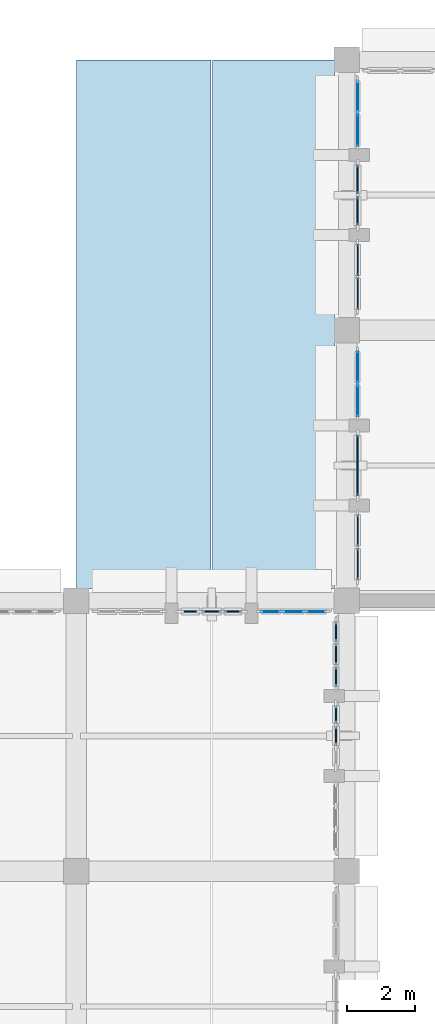
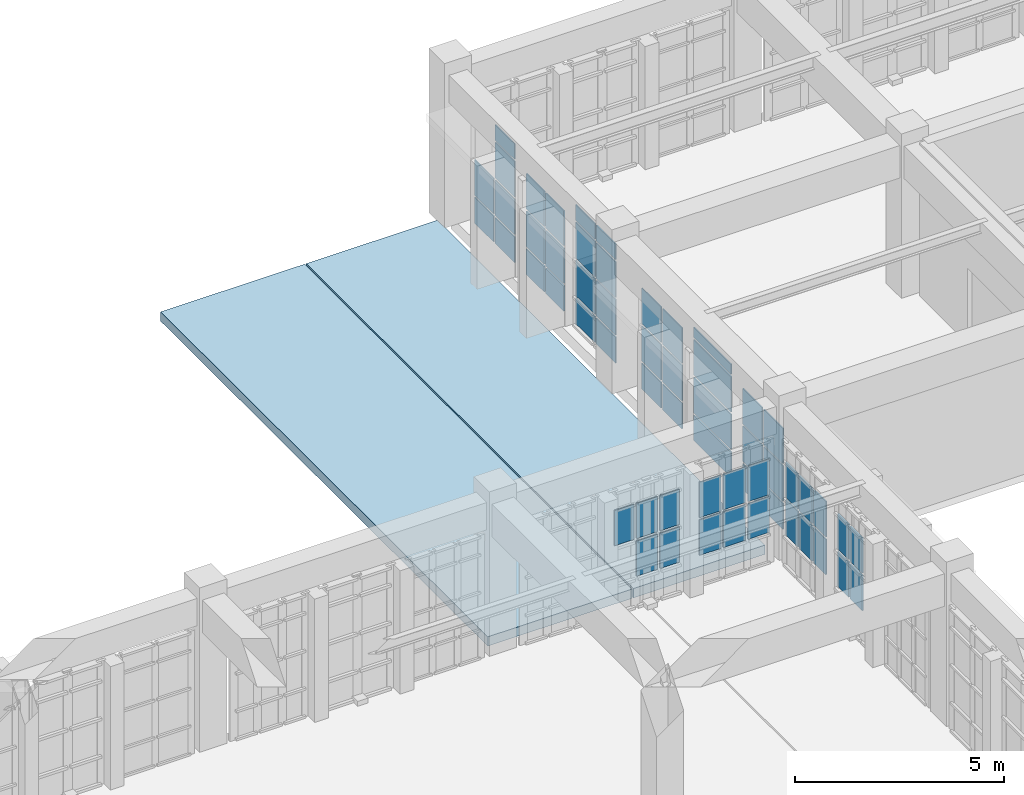
# One storey, part 102 of 155: 57 plates, 2 slabs, 10 elements without a shape of their own.
"""IFC4 building model written with IfcOpenShell, lengths in metres."""

from ifc_helpers import new_model, si_unit, direction, frame, origin, origin_2d, place, context, subcontext, project, spatial, polyline, rectangle, outline, extrude, material, layer, layer_set, type_object, element, aggregate, save


model = new_model("IFC4")

# Units and contexts
model_context = context("Model", 3, precision=1e-05, world=origin(), true_north=direction((0.0, 1.0)))
body_context = subcontext(model_context, "Body", "Model", "MODEL_VIEW")
ifc_project = project(units=[si_unit("LENGTHUNIT", "METRE"), si_unit("AREAUNIT", "SQUARE_METRE"), si_unit("VOLUMEUNIT", "CUBIC_METRE"), si_unit("PLANEANGLEUNIT", "RADIAN"), si_unit("MASSUNIT", "GRAM", prefix="KILO")], contexts=[model_context])

# Site, building, storey
site_placement = place(None, origin())
site = spatial("IfcSite", under=ifc_project, at=site_placement, CompositionType="ELEMENT")
building_placement = place(site_placement, origin())
building = spatial("IfcBuilding", under=site, at=building_placement, Name="Tazarka Park Arena", CompositionType="ELEMENT")
storey_placement = place(building_placement, frame((0.0, 0.0, 5.39990234375)))
storey = spatial("IfcBuildingStorey", under=building, at=storey_placement, Name="L01", CompositionType="ELEMENT", Elevation=5.39990234375)

# Curtain wall, plates
ifc_material_1 = material(Name="Aluminium and low-e glass", Category="aluminium")
ifc_layer_1 = layer(ifc_material_1, 0.179931640625, Name="Aluminium and low-e glass")
ifc_layer_set_1 = layer_set([ifc_layer_1], Name="Aluminium and low-e glass")
curtain_wall_type_1 = type_object("IfcCurtainWallType", Name="CW-27", PredefinedType="NOTDEFINED", material=ifc_layer_set_1)
curtain_wall_1_placement = place(storey_placement, origin())
curtain_wall_1 = element("IfcCurtainWall", 1, at=curtain_wall_1_placement, inside=storey, type_object=curtain_wall_type_1, Name="Curtain Wall CWA-L01-057", PredefinedType="NOTDEFINED")
ifc_material_2 = material(Name="Double low-e insulated glazing", Category="glass")
ifc_layer_2 = layer(ifc_material_2, 0.028076171875, Name="Double low-e insulated glazing")
ifc_layer_set_2 = layer_set([ifc_layer_2], Name="Double low-e insulated glazing")
plate_type_1 = type_object("IfcPlateType", Name="CWP-01", PredefinedType="CURTAIN_PANEL", material=ifc_layer_set_2)
plate_1_placement = place(storey_placement, frame((40.320068359375, 125.92138671875, 0.065185546875), z_axis=(0.0, 0.0, 1.0), x_axis=(0.0, 1.0, 0.0)))
plate_1 = element("IfcPlate", 2, at=plate_1_placement, type_object=plate_type_1, Name="CW-27 panel 1.1", PredefinedType="CURTAIN_PANEL", context=body_context, shape_type="SweptSolid", body=[
    extrude(rectangle(XDim=0.92919921875, YDim=0.028076171875, at=origin_2d()), origin(), (0.0, 0.0, 1.0), 0.75244140625),
])
plate_2_placement = place(storey_placement, frame((40.320068359375, 125.92138671875, 0.8828125), z_axis=(0.0, 0.0, 1.0), x_axis=(0.0, 1.0, 0.0)))
plate_2 = element("IfcPlate", 3, at=plate_2_placement, type_object=plate_type_1, Name="CW-27 panel 1.2", PredefinedType="CURTAIN_PANEL", context=body_context, shape_type="SweptSolid", body=[
    extrude(rectangle(XDim=0.92919921875, YDim=0.028076171875, at=origin_2d()), origin(), (0.0, 0.0, 1.0), 1.034912109375),
])
plate_3_placement = place(storey_placement, frame((40.320068359375, 125.92138671875, 1.982421875), z_axis=(0.0, 0.0, 1.0), x_axis=(0.0, 1.0, 0.0)))
plate_3 = element("IfcPlate", 4, at=plate_3_placement, type_object=plate_type_1, Name="CW-27 panel 1.3", PredefinedType="CURTAIN_PANEL", context=body_context, shape_type="SweptSolid", body=[
    extrude(rectangle(XDim=0.92919921875, YDim=0.028076171875, at=origin_2d()), origin(), (0.0, 0.0, 1.0), 1.034912109375),
])
plate_4_placement = place(storey_placement, frame((40.320068359375, 125.92138671875, 3.08251953125), z_axis=(0.0, 0.0, 1.0), x_axis=(0.0, 1.0, 0.0)))
plate_4 = element("IfcPlate", 5, at=plate_4_placement, type_object=plate_type_1, Name="CW-27 panel 1.4", PredefinedType="CURTAIN_PANEL", context=body_context, shape_type="SweptSolid", body=[
    extrude(rectangle(XDim=0.92919921875, YDim=0.028076171875, at=origin_2d()), origin(), (0.0, 0.0, 1.0), 0.452392578125),
])
plate_5_placement = place(storey_placement, frame((40.320068359375, 126.91552734375, 0.065185546875), z_axis=(0.0, 0.0, 1.0), x_axis=(0.0, 1.0, 0.0)))
plate_5 = element("IfcPlate", 6, at=plate_5_placement, type_object=plate_type_1, Name="CW-27 panel 2.1", PredefinedType="CURTAIN_PANEL", context=body_context, shape_type="SweptSolid", body=[
    extrude(rectangle(XDim=0.92919921875, YDim=0.028076171875, at=origin_2d()), origin(), (0.0, 0.0, 1.0), 0.75244140625),
])
plate_6_placement = place(storey_placement, frame((40.320068359375, 126.91552734375, 0.8828125), z_axis=(0.0, 0.0, 1.0), x_axis=(0.0, 1.0, 0.0)))
plate_6 = element("IfcPlate", 7, at=plate_6_placement, type_object=plate_type_1, Name="CW-27 panel 2.2", PredefinedType="CURTAIN_PANEL", context=body_context, shape_type="SweptSolid", body=[
    extrude(rectangle(XDim=0.92919921875, YDim=0.028076171875, at=origin_2d()), origin(), (0.0, 0.0, 1.0), 1.034912109375),
])
aggregate(curtain_wall_1, [plate_1, plate_2, plate_3, plate_4, plate_5, plate_6])

ifc_material_3 = material(Name="Aluminium and low-e glass", Category="aluminium")
ifc_layer_3 = layer(ifc_material_3, 0.179931640625, Name="Aluminium and low-e glass")
ifc_layer_set_3 = layer_set([ifc_layer_3], Name="Aluminium and low-e glass")
curtain_wall_type_2 = type_object("IfcCurtainWallType", Name="CW-30", PredefinedType="NOTDEFINED", material=ifc_layer_set_3)
curtain_wall_2_placement = place(storey_placement, origin())
curtain_wall_2 = element("IfcCurtainWall", 8, at=curtain_wall_2_placement, inside=storey, type_object=curtain_wall_type_2, Name="Curtain Wall CWA-L01-060", PredefinedType="NOTDEFINED")
plate_7_placement = place(storey_placement, frame((40.320068359375, 117.92138671875, 0.065185546875), z_axis=(0.0, 0.0, 1.0), x_axis=(0.0, 1.0, 0.0)))
plate_7 = element("IfcPlate", 9, at=plate_7_placement, type_object=plate_type_1, Name="CW-30 panel 1.1", PredefinedType="CURTAIN_PANEL", context=body_context, shape_type="SweptSolid", body=[
    extrude(rectangle(XDim=0.92919921875, YDim=0.028076171875, at=origin_2d()), origin(), (0.0, 0.0, 1.0), 0.75244140625),
])
plate_8_placement = place(storey_placement, frame((40.320068359375, 117.92138671875, 0.8828125), z_axis=(0.0, 0.0, 1.0), x_axis=(0.0, 1.0, 0.0)))
plate_8 = element("IfcPlate", 10, at=plate_8_placement, type_object=plate_type_1, Name="CW-30 panel 1.2", PredefinedType="CURTAIN_PANEL", context=body_context, shape_type="SweptSolid", body=[
    extrude(rectangle(XDim=0.92919921875, YDim=0.028076171875, at=origin_2d()), origin(), (0.0, 0.0, 1.0), 1.034912109375),
])
plate_9_placement = place(storey_placement, frame((40.320068359375, 117.92138671875, 1.982421875), z_axis=(0.0, 0.0, 1.0), x_axis=(0.0, 1.0, 0.0)))
plate_9 = element("IfcPlate", 11, at=plate_9_placement, type_object=plate_type_1, Name="CW-30 panel 1.3", PredefinedType="CURTAIN_PANEL", context=body_context, shape_type="SweptSolid", body=[
    extrude(rectangle(XDim=0.92919921875, YDim=0.028076171875, at=origin_2d()), origin(), (0.0, 0.0, 1.0), 1.034912109375),
])
plate_10_placement = place(storey_placement, frame((40.320068359375, 118.91552734375, 0.065185546875), z_axis=(0.0, 0.0, 1.0), x_axis=(0.0, 1.0, 0.0)))
plate_10 = element("IfcPlate", 12, at=plate_10_placement, type_object=plate_type_1, Name="CW-30 panel 2.1", PredefinedType="CURTAIN_PANEL", context=body_context, shape_type="SweptSolid", body=[
    extrude(rectangle(XDim=0.92919921875, YDim=0.028076171875, at=origin_2d()), origin(), (0.0, 0.0, 1.0), 0.75244140625),
])
plate_11_placement = place(storey_placement, frame((40.320068359375, 118.91552734375, 0.8828125), z_axis=(0.0, 0.0, 1.0), x_axis=(0.0, 1.0, 0.0)))
plate_11 = element("IfcPlate", 13, at=plate_11_placement, type_object=plate_type_1, Name="CW-30 panel 2.2", PredefinedType="CURTAIN_PANEL", context=body_context, shape_type="SweptSolid", body=[
    extrude(rectangle(XDim=0.92919921875, YDim=0.028076171875, at=origin_2d()), origin(), (0.0, 0.0, 1.0), 1.034912109375),
])
plate_12_placement = place(storey_placement, frame((40.320068359375, 118.91552734375, 1.982421875), z_axis=(0.0, 0.0, 1.0), x_axis=(0.0, 1.0, 0.0)))
plate_12 = element("IfcPlate", 14, at=plate_12_placement, type_object=plate_type_1, Name="CW-30 panel 2.3", PredefinedType="CURTAIN_PANEL", context=body_context, shape_type="SweptSolid", body=[
    extrude(rectangle(XDim=0.92919921875, YDim=0.028076171875, at=origin_2d()), origin(), (0.0, 0.0, 1.0), 1.034912109375),
])
aggregate(curtain_wall_2, [plate_7, plate_8, plate_9, plate_10, plate_11, plate_12])

ifc_material_4 = material(Name="Aluminium and low-e glass", Category="aluminium")
ifc_layer_4 = layer(ifc_material_4, 0.179931640625, Name="Aluminium and low-e glass")
ifc_layer_set_4 = layer_set([ifc_layer_4], Name="Aluminium and low-e glass")
curtain_wall_type_3 = type_object("IfcCurtainWallType", Name="CW-06", PredefinedType="NOTDEFINED", material=ifc_layer_set_4)
curtain_wall_3_placement = place(storey_placement, origin())
curtain_wall_3 = element("IfcCurtainWall", 15, at=curtain_wall_3_placement, inside=storey, type_object=curtain_wall_type_3, Name="Curtain Wall CWA-L01-126", PredefinedType="NOTDEFINED")
plate_13_placement = place(storey_placement, frame((37.750244140625, 111.679931640625, 0.8828125), z_axis=(0.0, 0.0, 1.0), x_axis=(1.0, 0.0, 0.0)))
plate_13 = element("IfcPlate", 16, at=plate_13_placement, type_object=plate_type_1, Name="CW-06 panel 1.2", PredefinedType="CURTAIN_PANEL", context=body_context, shape_type="SweptSolid", body=[
    extrude(rectangle(XDim=0.5869140625, YDim=0.028076171875, at=origin_2d()), origin(), (0.0, 0.0, 1.0), 1.034912109375),
])
plate_14_placement = place(storey_placement, frame((37.750244140625, 111.679931640625, 1.982421875), z_axis=(0.0, 0.0, 1.0), x_axis=(1.0, 0.0, 0.0)))
plate_14 = element("IfcPlate", 17, at=plate_14_placement, type_object=plate_type_1, Name="CW-06 panel 1.3", PredefinedType="CURTAIN_PANEL", context=body_context, shape_type="SweptSolid", body=[
    extrude(rectangle(XDim=0.5869140625, YDim=0.028076171875, at=origin_2d()), origin(), (0.0, 0.0, 1.0), 1.034912109375),
])
plate_15_placement = place(storey_placement, frame((38.41845703125, 111.679931640625, 0.8828125), z_axis=(0.0, 0.0, 1.0), x_axis=(1.0, 0.0, 0.0)))
plate_15 = element("IfcPlate", 18, at=plate_15_placement, type_object=plate_type_1, Name="CW-06 panel 2.2", PredefinedType="CURTAIN_PANEL", context=body_context, shape_type="SweptSolid", body=[
    extrude(rectangle(XDim=0.619384765625, YDim=0.028076171875, at=origin_2d()), origin(), (0.0, 0.0, 1.0), 1.034912109375),
])
plate_16_placement = place(storey_placement, frame((38.41845703125, 111.679931640625, 1.982421875), z_axis=(0.0, 0.0, 1.0), x_axis=(1.0, 0.0, 0.0)))
plate_16 = element("IfcPlate", 19, at=plate_16_placement, type_object=plate_type_1, Name="CW-06 panel 2.3", PredefinedType="CURTAIN_PANEL", context=body_context, shape_type="SweptSolid", body=[
    extrude(rectangle(XDim=0.619384765625, YDim=0.028076171875, at=origin_2d()), origin(), (0.0, 0.0, 1.0), 1.034912109375),
])
plate_17_placement = place(storey_placement, frame((39.08642578125, 111.679931640625, 0.8828125), z_axis=(0.0, 0.0, 1.0), x_axis=(1.0, 0.0, 0.0)))
plate_17 = element("IfcPlate", 20, at=plate_17_placement, type_object=plate_type_1, Name="CW-06 panel 3.2", PredefinedType="CURTAIN_PANEL", context=body_context, shape_type="SweptSolid", body=[
    extrude(rectangle(XDim=0.5869140625, YDim=0.028076171875, at=origin_2d()), origin(), (0.0, 0.0, 1.0), 1.034912109375),
])
plate_18_placement = place(storey_placement, frame((39.08642578125, 111.679931640625, 1.982421875), z_axis=(0.0, 0.0, 1.0), x_axis=(1.0, 0.0, 0.0)))
plate_18 = element("IfcPlate", 21, at=plate_18_placement, type_object=plate_type_1, Name="CW-06 panel 3.3", PredefinedType="CURTAIN_PANEL", context=body_context, shape_type="SweptSolid", body=[
    extrude(rectangle(XDim=0.5869140625, YDim=0.028076171875, at=origin_2d()), origin(), (0.0, 0.0, 1.0), 1.034912109375),
])
aggregate(curtain_wall_3, [plate_13, plate_14, plate_15, plate_16, plate_17, plate_18])

ifc_material_5 = material(Name="Aluminium and low-e glass", Category="aluminium")
ifc_layer_5 = layer(ifc_material_5, 0.179931640625, Name="Aluminium and low-e glass")
ifc_layer_set_5 = layer_set([ifc_layer_5], Name="Aluminium and low-e glass")
curtain_wall_type_4 = type_object("IfcCurtainWallType", Name="CW-25", PredefinedType="NOTDEFINED", material=ifc_layer_set_5)
curtain_wall_4_placement = place(storey_placement, origin())
curtain_wall_4 = element("IfcCurtainWall", 22, at=curtain_wall_4_placement, inside=storey, type_object=curtain_wall_type_4, Name="Curtain Wall CWA-L01-055", PredefinedType="NOTDEFINED")
ifc_material_6 = material(Name="Triple acoustic solar glazing", Category="glass")
ifc_layer_6 = layer(ifc_material_6, 0.031982421875, Name="Triple acoustic solar glazing")
ifc_layer_set_6 = layer_set([ifc_layer_6], Name="Triple acoustic solar glazing")
plate_type_2 = type_object("IfcPlateType", Name="CWP-02", PredefinedType="CURTAIN_PANEL", material=ifc_layer_set_6)
plate_19_placement = place(storey_placement, frame((40.320068359375, 121.08447265625, 0.065185546875), z_axis=(0.0, 0.0, 1.0), x_axis=(0.0, 1.0, 0.0)))
plate_19 = element("IfcPlate", 23, at=plate_19_placement, type_object=plate_type_2, Name="CW-25 panel 1.1", PredefinedType="CURTAIN_PANEL", context=body_context, shape_type="SweptSolid", body=[
    extrude(rectangle(XDim=0.92919921875, YDim=0.031982421875, at=origin_2d()), origin(), (0.0, 0.0, 1.0), 0.75244140625),
])
plate_20_placement = place(storey_placement, frame((40.320068359375, 121.08447265625, 0.8828125), z_axis=(0.0, 0.0, 1.0), x_axis=(0.0, 1.0, 0.0)))
plate_20 = element("IfcPlate", 24, at=plate_20_placement, type_object=plate_type_2, Name="CW-25 panel 1.2", PredefinedType="CURTAIN_PANEL", context=body_context, shape_type="SweptSolid", body=[
    extrude(rectangle(XDim=0.92919921875, YDim=0.031982421875, at=origin_2d()), origin(), (0.0, 0.0, 1.0), 1.034912109375),
])
plate_21_placement = place(storey_placement, frame((40.320068359375, 121.08447265625, 1.982421875), z_axis=(0.0, 0.0, 1.0), x_axis=(0.0, 1.0, 0.0)))
plate_21 = element("IfcPlate", 25, at=plate_21_placement, type_object=plate_type_2, Name="CW-25 panel 1.3", PredefinedType="CURTAIN_PANEL", context=body_context, shape_type="SweptSolid", body=[
    extrude(rectangle(XDim=0.92919921875, YDim=0.031982421875, at=origin_2d()), origin(), (0.0, 0.0, 1.0), 1.034912109375),
])
plate_22_placement = place(storey_placement, frame((40.320068359375, 121.08447265625, 3.08251953125), z_axis=(0.0, 0.0, 1.0), x_axis=(0.0, 1.0, 0.0)))
plate_22 = element("IfcPlate", 26, at=plate_22_placement, type_object=plate_type_2, Name="CW-25 panel 1.4", PredefinedType="CURTAIN_PANEL", context=body_context, shape_type="SweptSolid", body=[
    extrude(rectangle(XDim=0.92919921875, YDim=0.031982421875, at=origin_2d()), origin(), (0.0, 0.0, 1.0), 0.452392578125),
])
plate_23_placement = place(storey_placement, frame((40.320068359375, 122.07861328125, 0.065185546875), z_axis=(0.0, 0.0, 1.0), x_axis=(0.0, 1.0, 0.0)))
plate_23 = element("IfcPlate", 27, at=plate_23_placement, type_object=plate_type_2, Name="CW-25 panel 2.1", PredefinedType="CURTAIN_PANEL", context=body_context, shape_type="SweptSolid", body=[
    extrude(rectangle(XDim=0.92919921875, YDim=0.031982421875, at=origin_2d()), origin(), (0.0, 0.0, 1.0), 0.75244140625),
])
plate_24_placement = place(storey_placement, frame((40.320068359375, 122.07861328125, 0.8828125), z_axis=(0.0, 0.0, 1.0), x_axis=(0.0, 1.0, 0.0)))
plate_24 = element("IfcPlate", 28, at=plate_24_placement, type_object=plate_type_2, Name="CW-25 panel 2.2", PredefinedType="CURTAIN_PANEL", context=body_context, shape_type="SweptSolid", body=[
    extrude(rectangle(XDim=0.92919921875, YDim=0.031982421875, at=origin_2d()), origin(), (0.0, 0.0, 1.0), 1.034912109375),
])
plate_25_placement = place(storey_placement, frame((40.320068359375, 122.07861328125, 1.982421875), z_axis=(0.0, 0.0, 1.0), x_axis=(0.0, 1.0, 0.0)))
plate_25 = element("IfcPlate", 29, at=plate_25_placement, type_object=plate_type_2, Name="CW-25 panel 2.3", PredefinedType="CURTAIN_PANEL", context=body_context, shape_type="SweptSolid", body=[
    extrude(rectangle(XDim=0.92919921875, YDim=0.031982421875, at=origin_2d()), origin(), (0.0, 0.0, 1.0), 1.034912109375),
])
plate_26_placement = place(storey_placement, frame((40.320068359375, 122.07861328125, 3.08251953125), z_axis=(0.0, 0.0, 1.0), x_axis=(0.0, 1.0, 0.0)))
plate_26 = element("IfcPlate", 30, at=plate_26_placement, type_object=plate_type_2, Name="CW-25 panel 2.4", PredefinedType="CURTAIN_PANEL", context=body_context, shape_type="SweptSolid", body=[
    extrude(rectangle(XDim=0.92919921875, YDim=0.031982421875, at=origin_2d()), origin(), (0.0, 0.0, 1.0), 0.452392578125),
])
aggregate(curtain_wall_4, [plate_19, plate_20, plate_21, plate_22, plate_23, plate_24, plate_25, plate_26])

ifc_material_7 = material(Name="Aluminium and low-e glass", Category="aluminium")
ifc_layer_7 = layer(ifc_material_7, 0.179931640625, Name="Aluminium and low-e glass")
ifc_layer_set_7 = layer_set([ifc_layer_7], Name="Aluminium and low-e glass")
curtain_wall_type_5 = type_object("IfcCurtainWallType", Name="CW-28", PredefinedType="NOTDEFINED", material=ifc_layer_set_7)
curtain_wall_5_placement = place(storey_placement, origin())
curtain_wall_5 = element("IfcCurtainWall", 31, at=curtain_wall_5_placement, inside=storey, type_object=curtain_wall_type_5, Name="Curtain Wall CWA-L01-058", PredefinedType="NOTDEFINED")
plate_27_placement = place(storey_placement, frame((40.320068359375, 113.08447265625, 0.065185546875), z_axis=(0.0, 0.0, 1.0), x_axis=(0.0, 1.0, 0.0)))
plate_27 = element("IfcPlate", 32, at=plate_27_placement, type_object=plate_type_2, Name="CW-28 panel 1.1", PredefinedType="CURTAIN_PANEL", context=body_context, shape_type="SweptSolid", body=[
    extrude(rectangle(XDim=0.92919921875, YDim=0.031982421875, at=origin_2d()), origin(), (0.0, 0.0, 1.0), 0.75244140625),
])
plate_28_placement = place(storey_placement, frame((40.320068359375, 113.08447265625, 0.8828125), z_axis=(0.0, 0.0, 1.0), x_axis=(0.0, 1.0, 0.0)))
plate_28 = element("IfcPlate", 33, at=plate_28_placement, type_object=plate_type_2, Name="CW-28 panel 1.2", PredefinedType="CURTAIN_PANEL", context=body_context, shape_type="SweptSolid", body=[
    extrude(rectangle(XDim=0.92919921875, YDim=0.031982421875, at=origin_2d()), origin(), (0.0, 0.0, 1.0), 1.034912109375),
])
plate_29_placement = place(storey_placement, frame((40.320068359375, 113.08447265625, 1.982421875), z_axis=(0.0, 0.0, 1.0), x_axis=(0.0, 1.0, 0.0)))
plate_29 = element("IfcPlate", 34, at=plate_29_placement, type_object=plate_type_2, Name="CW-28 panel 1.3", PredefinedType="CURTAIN_PANEL", context=body_context, shape_type="SweptSolid", body=[
    extrude(rectangle(XDim=0.92919921875, YDim=0.031982421875, at=origin_2d()), origin(), (0.0, 0.0, 1.0), 1.034912109375),
])
plate_30_placement = place(storey_placement, frame((40.320068359375, 114.07861328125, 0.065185546875), z_axis=(0.0, 0.0, 1.0), x_axis=(0.0, 1.0, 0.0)))
plate_30 = element("IfcPlate", 35, at=plate_30_placement, type_object=plate_type_2, Name="CW-28 panel 2.1", PredefinedType="CURTAIN_PANEL", context=body_context, shape_type="SweptSolid", body=[
    extrude(rectangle(XDim=0.92919921875, YDim=0.031982421875, at=origin_2d()), origin(), (0.0, 0.0, 1.0), 0.75244140625),
])
plate_31_placement = place(storey_placement, frame((40.320068359375, 114.07861328125, 0.8828125), z_axis=(0.0, 0.0, 1.0), x_axis=(0.0, 1.0, 0.0)))
plate_31 = element("IfcPlate", 36, at=plate_31_placement, type_object=plate_type_2, Name="CW-28 panel 2.2", PredefinedType="CURTAIN_PANEL", context=body_context, shape_type="SweptSolid", body=[
    extrude(rectangle(XDim=0.92919921875, YDim=0.031982421875, at=origin_2d()), origin(), (0.0, 0.0, 1.0), 1.034912109375),
])
plate_32_placement = place(storey_placement, frame((40.320068359375, 114.07861328125, 1.982421875), z_axis=(0.0, 0.0, 1.0), x_axis=(0.0, 1.0, 0.0)))
plate_32 = element("IfcPlate", 37, at=plate_32_placement, type_object=plate_type_2, Name="CW-28 panel 2.3", PredefinedType="CURTAIN_PANEL", context=body_context, shape_type="SweptSolid", body=[
    extrude(rectangle(XDim=0.92919921875, YDim=0.031982421875, at=origin_2d()), origin(), (0.0, 0.0, 1.0), 1.034912109375),
])
aggregate(curtain_wall_5, [plate_27, plate_28, plate_29, plate_30, plate_31, plate_32])

ifc_material_8 = material(Name="Aluminium and low-e glass", Category="aluminium")
ifc_layer_8 = layer(ifc_material_8, 0.179931640625, Name="Aluminium and low-e glass")
ifc_layer_set_8 = layer_set([ifc_layer_8], Name="Aluminium and low-e glass")
curtain_wall_type_6 = type_object("IfcCurtainWallType", Name="CW-01", PredefinedType="NOTDEFINED", material=ifc_layer_set_8)
curtain_wall_6_placement = place(storey_placement, origin())
curtain_wall_6 = element("IfcCurtainWall", 38, at=curtain_wall_6_placement, inside=storey, type_object=curtain_wall_type_6, Name="Curtain Wall CWA-L01-121", PredefinedType="NOTDEFINED")
plate_33_placement = place(storey_placement, frame((39.679931640625, 111.08642578125, 0.8828125), z_axis=(0.0, 0.0, 1.0), x_axis=(0.0, -1.0, 0.0)))
plate_33 = element("IfcPlate", 39, at=plate_33_placement, type_object=plate_type_2, Name="CW-01 panel 1.2", PredefinedType="CURTAIN_PANEL", context=body_context, shape_type="SweptSolid", body=[
    extrude(rectangle(XDim=0.5869140625, YDim=0.031982421875, at=origin_2d()), origin(), (0.0, 0.0, 1.0), 1.034912109375),
])
plate_34_placement = place(storey_placement, frame((39.679931640625, 111.08642578125, 1.982421875), z_axis=(0.0, 0.0, 1.0), x_axis=(0.0, -1.0, 0.0)))
plate_34 = element("IfcPlate", 40, at=plate_34_placement, type_object=plate_type_2, Name="CW-01 panel 1.3", PredefinedType="CURTAIN_PANEL", context=body_context, shape_type="SweptSolid", body=[
    extrude(rectangle(XDim=0.5869140625, YDim=0.031982421875, at=origin_2d()), origin(), (0.0, 0.0, 1.0), 1.034912109375),
])
plate_35_placement = place(storey_placement, frame((39.679931640625, 110.41845703125, 0.8828125), z_axis=(0.0, 0.0, 1.0), x_axis=(0.0, -1.0, 0.0)))
plate_35 = element("IfcPlate", 41, at=plate_35_placement, type_object=plate_type_2, Name="CW-01 panel 2.2", PredefinedType="CURTAIN_PANEL", context=body_context, shape_type="SweptSolid", body=[
    extrude(rectangle(XDim=0.619384765625, YDim=0.031982421875, at=origin_2d()), origin(), (0.0, 0.0, 1.0), 1.034912109375),
])
plate_36_placement = place(storey_placement, frame((39.679931640625, 110.41845703125, 1.982421875), z_axis=(0.0, 0.0, 1.0), x_axis=(0.0, -1.0, 0.0)))
plate_36 = element("IfcPlate", 42, at=plate_36_placement, type_object=plate_type_2, Name="CW-01 panel 2.3", PredefinedType="CURTAIN_PANEL", context=body_context, shape_type="SweptSolid", body=[
    extrude(rectangle(XDim=0.619384765625, YDim=0.031982421875, at=origin_2d()), origin(), (0.0, 0.0, 1.0), 1.034912109375),
])
plate_37_placement = place(storey_placement, frame((39.679931640625, 109.750244140625, 0.8828125), z_axis=(0.0, 0.0, 1.0), x_axis=(0.0, -1.0, 0.0)))
plate_37 = element("IfcPlate", 43, at=plate_37_placement, type_object=plate_type_2, Name="CW-01 panel 3.2", PredefinedType="CURTAIN_PANEL", context=body_context, shape_type="SweptSolid", body=[
    extrude(rectangle(XDim=0.5869140625, YDim=0.031982421875, at=origin_2d()), origin(), (0.0, 0.0, 1.0), 1.034912109375),
])
plate_38_placement = place(storey_placement, frame((39.679931640625, 109.750244140625, 1.982421875), z_axis=(0.0, 0.0, 1.0), x_axis=(0.0, -1.0, 0.0)))
plate_38 = element("IfcPlate", 44, at=plate_38_placement, type_object=plate_type_2, Name="CW-01 panel 3.3", PredefinedType="CURTAIN_PANEL", context=body_context, shape_type="SweptSolid", body=[
    extrude(rectangle(XDim=0.5869140625, YDim=0.031982421875, at=origin_2d()), origin(), (0.0, 0.0, 1.0), 1.034912109375),
])
aggregate(curtain_wall_6, [plate_33, plate_34, plate_35, plate_36, plate_37, plate_38])

ifc_material_9 = material(Name="Aluminium and low-e glass", Category="aluminium")
ifc_layer_9 = layer(ifc_material_9, 0.179931640625, Name="Aluminium and low-e glass")
ifc_layer_set_9 = layer_set([ifc_layer_9], Name="Aluminium and low-e glass")
curtain_wall_type_7 = type_object("IfcCurtainWallType", Name="CW-26", PredefinedType="NOTDEFINED", material=ifc_layer_set_9)
curtain_wall_7_placement = place(storey_placement, origin())
curtain_wall_7 = element("IfcCurtainWall", 45, at=curtain_wall_7_placement, inside=storey, type_object=curtain_wall_type_7, Name="Curtain Wall CWA-L01-056", PredefinedType="NOTDEFINED")
ifc_material_10 = material(Name="Insulated aluminium spandrel panel", Category="aluminium")
ifc_layer_10 = layer(ifc_material_10, 0.035888671875, Name="Insulated aluminium spandrel panel")
ifc_layer_set_10 = layer_set([ifc_layer_10], Name="Insulated aluminium spandrel panel")
plate_type_3 = type_object("IfcPlateType", Name="CWP-03", PredefinedType="CURTAIN_PANEL", material=ifc_layer_set_10)
plate_39_placement = place(storey_placement, frame((40.320068359375, 123.532958984375, 0.0751953125), z_axis=(0.0, 0.0, 1.0), x_axis=(0.0, 1.0, 0.0)))
plate_39 = element("IfcPlate", 46, at=plate_39_placement, type_object=plate_type_3, Name="CW-26 panel 1.1", PredefinedType="CURTAIN_PANEL", context=body_context, shape_type="SweptSolid", body=[
    extrude(rectangle(XDim=0.859130859375, YDim=0.035888671875, at=origin_2d()), origin(), (0.0, 0.0, 1.0), 0.737548828125),
])
plate_40_placement = place(storey_placement, frame((40.320068359375, 123.532958984375, 0.8876953125), z_axis=(0.0, 0.0, 1.0), x_axis=(0.0, 1.0, 0.0)))
plate_40 = element("IfcPlate", 47, at=plate_40_placement, type_object=plate_type_3, Name="CW-26 panel 1.2", PredefinedType="CURTAIN_PANEL", context=body_context, shape_type="SweptSolid", body=[
    extrude(rectangle(XDim=0.859130859375, YDim=0.035888671875, at=origin_2d()), origin(), (0.0, 0.0, 1.0), 1.02490234375),
])
plate_41_placement = place(storey_placement, frame((40.320068359375, 123.532958984375, 1.987548828125), z_axis=(0.0, 0.0, 1.0), x_axis=(0.0, 1.0, 0.0)))
plate_41 = element("IfcPlate", 48, at=plate_41_placement, type_object=plate_type_3, Name="CW-26 panel 1.3", PredefinedType="CURTAIN_PANEL", context=body_context, shape_type="SweptSolid", body=[
    extrude(rectangle(XDim=0.859130859375, YDim=0.035888671875, at=origin_2d()), origin(), (0.0, 0.0, 1.0), 1.02490234375),
])
plate_42_placement = place(storey_placement, frame((40.320068359375, 124.467041015625, 0.0751953125), z_axis=(0.0, 0.0, 1.0), x_axis=(0.0, 1.0, 0.0)))
plate_42 = element("IfcPlate", 49, at=plate_42_placement, type_object=plate_type_3, Name="CW-26 panel 2.1", PredefinedType="CURTAIN_PANEL", context=body_context, shape_type="SweptSolid", body=[
    extrude(rectangle(XDim=0.859130859375, YDim=0.035888671875, at=origin_2d()), origin(), (0.0, 0.0, 1.0), 0.737548828125),
])
plate_43_placement = place(storey_placement, frame((40.320068359375, 124.467041015625, 0.8876953125), z_axis=(0.0, 0.0, 1.0), x_axis=(0.0, 1.0, 0.0)))
plate_43 = element("IfcPlate", 50, at=plate_43_placement, type_object=plate_type_3, Name="CW-26 panel 2.2", PredefinedType="CURTAIN_PANEL", context=body_context, shape_type="SweptSolid", body=[
    extrude(rectangle(XDim=0.859130859375, YDim=0.035888671875, at=origin_2d()), origin(), (0.0, 0.0, 1.0), 1.02490234375),
])
plate_44_placement = place(storey_placement, frame((40.320068359375, 124.467041015625, 1.987548828125), z_axis=(0.0, 0.0, 1.0), x_axis=(0.0, 1.0, 0.0)))
plate_44 = element("IfcPlate", 51, at=plate_44_placement, type_object=plate_type_3, Name="CW-26 panel 2.3", PredefinedType="CURTAIN_PANEL", context=body_context, shape_type="SweptSolid", body=[
    extrude(rectangle(XDim=0.859130859375, YDim=0.035888671875, at=origin_2d()), origin(), (0.0, 0.0, 1.0), 1.02490234375),
])
aggregate(curtain_wall_7, [plate_39, plate_40, plate_41, plate_42, plate_43, plate_44])

ifc_material_11 = material(Name="Aluminium and low-e glass", Category="aluminium")
ifc_layer_11 = layer(ifc_material_11, 0.179931640625, Name="Aluminium and low-e glass")
ifc_layer_set_11 = layer_set([ifc_layer_11], Name="Aluminium and low-e glass")
curtain_wall_type_8 = type_object("IfcCurtainWallType", Name="CW-29", PredefinedType="NOTDEFINED", material=ifc_layer_set_11)
curtain_wall_8_placement = place(storey_placement, origin())
curtain_wall_8 = element("IfcCurtainWall", 52, at=curtain_wall_8_placement, inside=storey, type_object=curtain_wall_type_8, Name="Curtain Wall CWA-L01-059", PredefinedType="NOTDEFINED")
plate_45_placement = place(storey_placement, frame((40.320068359375, 116.0, 0.0751953125), z_axis=(0.0, 0.0, 1.0), x_axis=(0.0, 1.0, 0.0)))
plate_45 = element("IfcPlate", 53, at=plate_45_placement, type_object=plate_type_3, Name="CW-29 panel 1.1", PredefinedType="CURTAIN_PANEL", context=body_context, shape_type="SweptSolid", body=[
    extrude(rectangle(XDim=1.79345703125, YDim=0.035888671875, at=origin_2d()), origin(), (0.0, 0.0, 1.0), 0.737548828125),
])
plate_46_placement = place(storey_placement, frame((40.320068359375, 116.0, 0.8876953125), z_axis=(0.0, 0.0, 1.0), x_axis=(0.0, 1.0, 0.0)))
plate_46 = element("IfcPlate", 54, at=plate_46_placement, type_object=plate_type_3, Name="CW-29 panel 1.2", PredefinedType="CURTAIN_PANEL", context=body_context, shape_type="SweptSolid", body=[
    extrude(rectangle(XDim=1.79345703125, YDim=0.035888671875, at=origin_2d()), origin(), (0.0, 0.0, 1.0), 1.02490234375),
])
plate_47_placement = place(storey_placement, frame((40.320068359375, 116.0, 1.987548828125), z_axis=(0.0, 0.0, 1.0), x_axis=(0.0, 1.0, 0.0)))
plate_47 = element("IfcPlate", 55, at=plate_47_placement, type_object=plate_type_3, Name="CW-29 panel 1.3", PredefinedType="CURTAIN_PANEL", context=body_context, shape_type="SweptSolid", body=[
    extrude(rectangle(XDim=1.79345703125, YDim=0.035888671875, at=origin_2d()), origin(), (0.0, 0.0, 1.0), 1.02490234375),
])
plate_48_placement = place(storey_placement, frame((40.320068359375, 116.0, 3.087646484375), z_axis=(0.0, 0.0, 1.0), x_axis=(0.0, 1.0, 0.0)))
plate_48 = element("IfcPlate", 56, at=plate_48_placement, type_object=plate_type_3, Name="CW-29 panel 1.4", PredefinedType="CURTAIN_PANEL", context=body_context, shape_type="SweptSolid", body=[
    extrude(rectangle(XDim=1.79345703125, YDim=0.035888671875, at=origin_2d()), origin(), (0.0, 0.0, 1.0), 0.28759765625),
])
aggregate(curtain_wall_8, [plate_45, plate_46, plate_47, plate_48])

ifc_material_12 = material(Name="Aluminium and low-e glass", Category="aluminium")
ifc_layer_12 = layer(ifc_material_12, 0.179931640625, Name="Aluminium and low-e glass")
ifc_layer_set_12 = layer_set([ifc_layer_12], Name="Aluminium and low-e glass")
curtain_wall_type_9 = type_object("IfcCurtainWallType", Name="CW-02", PredefinedType="NOTDEFINED", material=ifc_layer_set_12)
curtain_wall_9_placement = place(storey_placement, origin())
curtain_wall_9 = element("IfcCurtainWall", 57, at=curtain_wall_9_placement, inside=storey, type_object=curtain_wall_type_9, Name="Curtain Wall CWA-L01-122", PredefinedType="NOTDEFINED")
plate_49_placement = place(storey_placement, frame((39.679931640625, 108.629150390625, 0.8876953125), z_axis=(0.0, 0.0, 1.0), x_axis=(0.0, -1.0, 0.0)))
plate_49 = element("IfcPlate", 58, at=plate_49_placement, type_object=plate_type_3, Name="CW-02 panel 1.2", PredefinedType="CURTAIN_PANEL", context=body_context, shape_type="SweptSolid", body=[
    extrude(rectangle(XDim=0.535400390625, YDim=0.035888671875, at=origin_2d()), origin(), (0.0, 0.0, 1.0), 1.02490234375),
])
plate_50_placement = place(storey_placement, frame((39.679931640625, 108.629150390625, 1.987548828125), z_axis=(0.0, 0.0, 1.0), x_axis=(0.0, -1.0, 0.0)))
plate_50 = element("IfcPlate", 59, at=plate_50_placement, type_object=plate_type_3, Name="CW-02 panel 1.3", PredefinedType="CURTAIN_PANEL", context=body_context, shape_type="SweptSolid", body=[
    extrude(rectangle(XDim=0.535400390625, YDim=0.035888671875, at=origin_2d()), origin(), (0.0, 0.0, 1.0), 1.02490234375),
])
plate_51_placement = place(storey_placement, frame((39.679931640625, 108.0, 0.8876953125), z_axis=(0.0, 0.0, 1.0), x_axis=(0.0, -1.0, 0.0)))
plate_51 = element("IfcPlate", 60, at=plate_51_placement, type_object=plate_type_3, Name="CW-02 panel 2.2", PredefinedType="CURTAIN_PANEL", context=body_context, shape_type="SweptSolid", body=[
    extrude(rectangle(XDim=0.57275390625, YDim=0.035888671875, at=origin_2d()), origin(), (0.0, 0.0, 1.0), 1.02490234375),
])
plate_52_placement = place(storey_placement, frame((39.679931640625, 108.0, 1.987548828125), z_axis=(0.0, 0.0, 1.0), x_axis=(0.0, -1.0, 0.0)))
plate_52 = element("IfcPlate", 61, at=plate_52_placement, type_object=plate_type_3, Name="CW-02 panel 2.3", PredefinedType="CURTAIN_PANEL", context=body_context, shape_type="SweptSolid", body=[
    extrude(rectangle(XDim=0.57275390625, YDim=0.035888671875, at=origin_2d()), origin(), (0.0, 0.0, 1.0), 1.02490234375),
])
aggregate(curtain_wall_9, [plate_49, plate_50, plate_51, plate_52])

ifc_material_13 = material(Name="Aluminium and low-e glass", Category="aluminium")
ifc_layer_13 = layer(ifc_material_13, 0.179931640625, Name="Aluminium and low-e glass")
ifc_layer_set_13 = layer_set([ifc_layer_13], Name="Aluminium and low-e glass")
curtain_wall_type_10 = type_object("IfcCurtainWallType", Name="CW-05", PredefinedType="NOTDEFINED", material=ifc_layer_set_13)
curtain_wall_10_placement = place(storey_placement, origin())
curtain_wall_10 = element("IfcCurtainWall", 62, at=curtain_wall_10_placement, inside=storey, type_object=curtain_wall_type_10, Name="Curtain Wall CWA-L01-125", PredefinedType="NOTDEFINED")
plate_53_placement = place(storey_placement, frame((35.370849609375, 111.679931640625, 1.987548828125), z_axis=(0.0, 0.0, 1.0), x_axis=(1.0, 0.0, 0.0)))
plate_53 = element("IfcPlate", 63, at=plate_53_placement, type_object=plate_type_3, Name="CW-05 panel 1.3", PredefinedType="CURTAIN_PANEL", context=body_context, shape_type="SweptSolid", body=[
    extrude(rectangle(XDim=0.535400390625, YDim=0.035888671875, at=origin_2d()), origin(), (0.0, 0.0, 1.0), 1.02490234375),
])
plate_54_placement = place(storey_placement, frame((36.0, 111.679931640625, 0.8876953125), z_axis=(0.0, 0.0, 1.0), x_axis=(1.0, 0.0, 0.0)))
plate_54 = element("IfcPlate", 64, at=plate_54_placement, type_object=plate_type_3, Name="CW-05 panel 2.2", PredefinedType="CURTAIN_PANEL", context=body_context, shape_type="SweptSolid", body=[
    extrude(rectangle(XDim=0.57275390625, YDim=0.035888671875, at=origin_2d()), origin(), (0.0, 0.0, 1.0), 1.02490234375),
])
plate_55_placement = place(storey_placement, frame((36.0, 111.679931640625, 1.987548828125), z_axis=(0.0, 0.0, 1.0), x_axis=(1.0, 0.0, 0.0)))
plate_55 = element("IfcPlate", 65, at=plate_55_placement, type_object=plate_type_3, Name="CW-05 panel 2.3", PredefinedType="CURTAIN_PANEL", context=body_context, shape_type="SweptSolid", body=[
    extrude(rectangle(XDim=0.57275390625, YDim=0.035888671875, at=origin_2d()), origin(), (0.0, 0.0, 1.0), 1.02490234375),
])
plate_56_placement = place(storey_placement, frame((36.629150390625, 111.679931640625, 0.8876953125), z_axis=(0.0, 0.0, 1.0), x_axis=(1.0, 0.0, 0.0)))
plate_56 = element("IfcPlate", 66, at=plate_56_placement, type_object=plate_type_3, Name="CW-05 panel 3.2", PredefinedType="CURTAIN_PANEL", context=body_context, shape_type="SweptSolid", body=[
    extrude(rectangle(XDim=0.535400390625, YDim=0.035888671875, at=origin_2d()), origin(), (0.0, 0.0, 1.0), 1.02490234375),
])
plate_57_placement = place(storey_placement, frame((36.629150390625, 111.679931640625, 1.987548828125), z_axis=(0.0, 0.0, 1.0), x_axis=(1.0, 0.0, 0.0)))
plate_57 = element("IfcPlate", 67, at=plate_57_placement, type_object=plate_type_3, Name="CW-05 panel 3.3", PredefinedType="CURTAIN_PANEL", context=body_context, shape_type="SweptSolid", body=[
    extrude(rectangle(XDim=0.535400390625, YDim=0.035888671875, at=origin_2d()), origin(), (0.0, 0.0, 1.0), 1.02490234375),
])
aggregate(curtain_wall_10, [plate_53, plate_54, plate_55, plate_56, plate_57])

# Slabs
ifc_material_14 = material(Name="Concrete C35/45", Category="concrete")
ifc_layer_14 = layer(ifc_material_14, 0.27001953125, Name="Concrete C35/45")
ifc_layer_set_14 = layer_set([ifc_layer_14], Name="Concrete C35/45")
slab_type = type_object("IfcSlabType", Name="SLB-RS-04", PredefinedType="ROOF", material=ifc_layer_set_14)
slab_1_placement = place(storey_placement, frame((0.0, 0.0, -0.27001953125)))
element("IfcSlab", 68, at=slab_1_placement, inside=storey, type_object=slab_type, Name="WROOF-L01-02", PredefinedType="ROOF", context=body_context, shape_type="SweptSolid", body=[
    extrude(outline(polyline([(32.0, 112.35009765625), (32.0, 128.0), (35.97998046875, 128.0), (35.97998046875, 112.35009765625), (32.0, 112.35009765625)])), origin(), (0.0, 0.0, 1.0), 0.27001953125),
])
slab_2_placement = place(storey_placement, frame((0.0, 0.0, -0.27001953125)))
element("IfcSlab", 69, at=slab_2_placement, inside=storey, type_object=slab_type, Name="WROOF-L01-03", PredefinedType="ROOF", context=body_context, shape_type="SweptSolid", body=[
    extrude(outline(polyline([(39.64990234375, 112.35009765625), (36.02001953125, 112.35009765625), (36.02001953125, 128.0), (39.64990234375, 128.0), (39.64990234375, 112.35009765625)])), origin(), (0.0, 0.0, 1.0), 0.27001953125),
])

save(model, "model.ifc")
